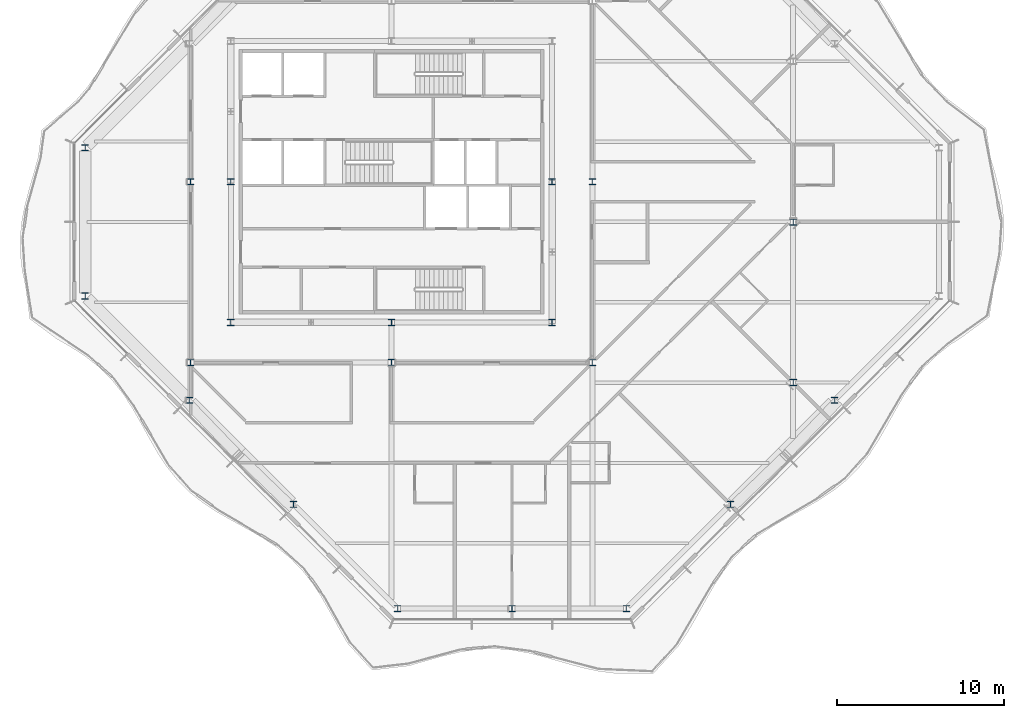
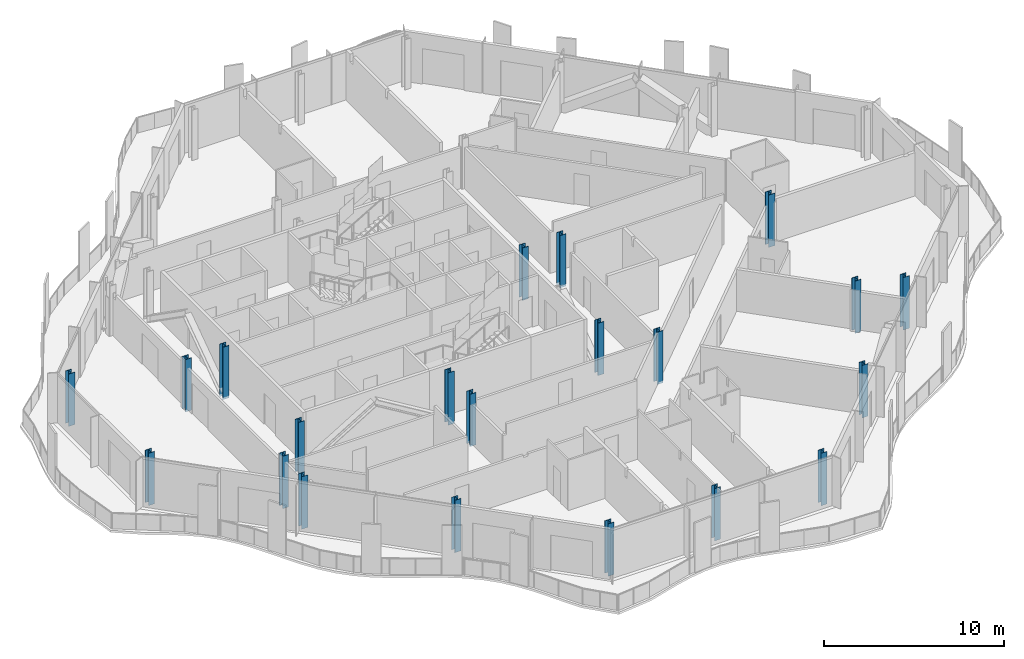
# One storey, part 1 of 17: 21 columns.
"""IFC4 building model written with IfcOpenShell, lengths in metres."""

from ifc_helpers import new_model, si_unit, direction, frame, origin, origin_2d, place, context, subcontext, project, spatial, i_section, extrude, material, material_profile, profile_set, type_object, element, save


model = new_model("IFC4")

# Units and contexts
model_context = context("Model", 3, precision=1e-05, world=origin(), true_north=direction((0.0, 1.0)))
body_context = subcontext(model_context, "Body", "Model", "MODEL_VIEW")
ifc_project = project(units=[si_unit("LENGTHUNIT", "METRE"), si_unit("AREAUNIT", "SQUARE_METRE"), si_unit("VOLUMEUNIT", "CUBIC_METRE"), si_unit("PLANEANGLEUNIT", "RADIAN"), si_unit("MASSUNIT", "GRAM", prefix="KILO")], contexts=[model_context])

# Site, building, storey
site_placement = place(None, origin())
site = spatial("IfcSite", under=ifc_project, at=site_placement, CompositionType="ELEMENT")
building_placement = place(site_placement, origin())
building = spatial("IfcBuilding", under=site, at=building_placement, Name="Cairn Pilgrim Tower", CompositionType="ELEMENT")
storey_placement = place(building_placement, frame((0.0, 0.0, 292.199951171875)))
storey = spatial("IfcBuildingStorey", under=building, at=storey_placement, Name="L75", CompositionType="ELEMENT", Elevation=292.199951171875)

# Columns
ifc_material = material(Name="Structural steel S355J2", Category="steel")
ifc_material_profile_1 = material_profile(ifc_material, i_section(OverallWidth=0.39111328125, OverallDepth=0.367919921875, WebThickness=0.014892578125, FlangeThickness=0.02392578125, FilletRadius=0.014892578125, at=origin_2d()), Name="HD 400x187")
ifc_profile_set_1 = profile_set([ifc_material_profile_1], Name="Structural steel S355J2")
column_type_1 = type_object("IfcColumnType", Name="HD 400x187", PredefinedType="COLUMN", material=ifc_profile_set_1)
for number, where, z_axis, x_axis, name in (
    (1, (7.57275390625, -23.10009765625, -0.14990234375), (0.0, 0.0, 1.0), (1.0, 0.0, 0.0), "PC4-S1"),
    (2, (14.39990234375, -23.10009765625, -0.14990234375), (0.0, 0.0, 1.0), (1.0, 0.0, 0.0), "PC4-S2"),
    (3, (21.227294921875, -23.10009765625, -0.14990234375), (0.0, 0.0, 1.0), (1.0, 0.0, 0.0), "PC4-SE1"),
    (4, (27.451416015625, -16.875732421875, -0.14990234375), (0.0, 0.0, 1.0), (1.0, 0.0, 0.0), "PC4-SE2"),
    (5, (33.67578125, -10.651611328125, -0.14990234375), (0.0, 0.0, 1.0), (1.0, 0.0, 0.0), "PC4-SE3"),
    (6, (-11.10009765625, 4.42724609375, -0.14990234375), (0.0, 0.0, 1.0), (1.0, 0.0, 0.0), "PC4-W1"),
    (7, (-11.10009765625, -4.42724609375, -0.14990234375), (0.0, 0.0, 1.0), (1.0, 0.0, 0.0), "PC4-SW1"),
    (8, (-4.875732421875, -10.651611328125, -0.14990234375), (0.0, 0.0, 1.0), (1.0, 0.0, 0.0), "PC4-SW2"),
    (9, (1.348388671875, -16.875732421875, -0.14990234375), (0.0, 0.0, 1.0), (1.0, 0.0, 0.0), "PC4-SW3"),
):
    element("IfcColumn", number, at=place(storey_placement, frame(where, z_axis=z_axis, x_axis=x_axis)), inside=storey, type_object=column_type_1, Name=name, PredefinedType="COLUMN", context=body_context, shape_type="SweptSolid", body=[
        extrude(i_section(OverallWidth=0.39111328125, OverallDepth=0.367919921875, WebThickness=0.014892578125, FlangeThickness=0.02392578125, FilletRadius=0.014892578125, at=origin_2d()), origin(), (0.0, 0.0, 1.0), 3.550048828125),
    ])
ifc_material_profile_2 = material_profile(ifc_material, i_section(OverallWidth=0.39404296875, OverallDepth=0.375, WebThickness=0.017333984375, FlangeThickness=0.027587890625, FilletRadius=0.014892578125, at=origin_2d()), Name="HD 400x216")
ifc_profile_set_2 = profile_set([ifc_material_profile_2], Name="Structural steel S355J2")
column_type_2 = type_object("IfcColumnType", Name="HD 400x216", PredefinedType="COLUMN", material=ifc_profile_set_2)
for number, where, z_axis, x_axis, name in (
    (10, (-4.800048828125, -8.39990234375, -0.14990234375), (0.0, 0.0, 1.0), (1.0, 0.0, 0.0), "IC-1"),
    (11, (7.199951171875, -8.39990234375, -0.14990234375), (0.0, 0.0, 1.0), (1.0, 0.0, 0.0), "IC-2"),
    (12, (19.199951171875, -8.39990234375, -0.14990234375), (0.0, 0.0, 1.0), (1.0, 0.0, 0.0), "IC-3"),
    (13, (-4.800048828125, 2.39990234375, -0.14990234375), (0.0, 0.0, 1.0), (1.0, 0.0, 0.0), "IC-4"),
    (14, (19.199951171875, 2.39990234375, -0.14990234375), (0.0, 0.0, 1.0), (1.0, 0.0, 0.0), "IC-5"),
    (15, (31.199951171875, -9.60009765625, -0.14990234375), (0.0, 0.0, 1.0), (1.0, 0.0, 0.0), "WC-WE-2"),
    (16, (31.199951171875, 0.0, -0.14990234375), (0.0, 0.0, 1.0), (1.0, 0.0, 0.0), "WC-WE+0"),
):
    element("IfcColumn", number, at=place(storey_placement, frame(where, z_axis=z_axis, x_axis=x_axis)), inside=storey, type_object=column_type_2, Name=name, PredefinedType="COLUMN", context=body_context, shape_type="SweptSolid", body=[
        extrude(i_section(OverallWidth=0.39404296875, OverallDepth=0.375, WebThickness=0.017333984375, FlangeThickness=0.027587890625, FilletRadius=0.014892578125, at=origin_2d()), origin(), (0.0, 0.0, 1.0), 3.550048828125),
    ])
ifc_material_profile_3 = material_profile(ifc_material, i_section(OverallWidth=0.39794921875, OverallDepth=0.386962890625, WebThickness=0.02099609375, FlangeThickness=0.033203125, FilletRadius=0.014892578125, at=origin_2d()), Name="HD 400x262")
ifc_profile_set_3 = profile_set([ifc_material_profile_3], Name="Structural steel S355J2")
column_type_3 = type_object("IfcColumnType", Name="HD 400x262", PredefinedType="COLUMN", material=ifc_profile_set_3)
for number, where, z_axis, x_axis, name in (
    (17, (-2.39990234375, -6.0, -0.14990234375), (0.0, 0.0, 1.0), (1.0, 0.0, 0.0), "KC-1"),
    (18, (7.199951171875, -6.0, -0.14990234375), (0.0, 0.0, 1.0), (1.0, 0.0, 0.0), "KC-2"),
    (19, (16.800048828125, -6.0, -0.14990234375), (0.0, 0.0, 1.0), (1.0, 0.0, 0.0), "KC-3"),
    (20, (-2.39990234375, 2.39990234375, -0.14990234375), (0.0, 0.0, 1.0), (1.0, 0.0, 0.0), "KC-4"),
    (21, (16.800048828125, 2.39990234375, -0.14990234375), (0.0, 0.0, 1.0), (1.0, 0.0, 0.0), "KC-5"),
):
    element("IfcColumn", number, at=place(storey_placement, frame(where, z_axis=z_axis, x_axis=x_axis)), inside=storey, type_object=column_type_3, Name=name, PredefinedType="COLUMN", context=body_context, shape_type="SweptSolid", body=[
        extrude(i_section(OverallWidth=0.39794921875, OverallDepth=0.386962890625, WebThickness=0.02099609375, FlangeThickness=0.033203125, FilletRadius=0.014892578125, at=origin_2d()), origin(), (0.0, 0.0, 1.0), 3.550048828125),
    ])

save(model, "model.ifc")
